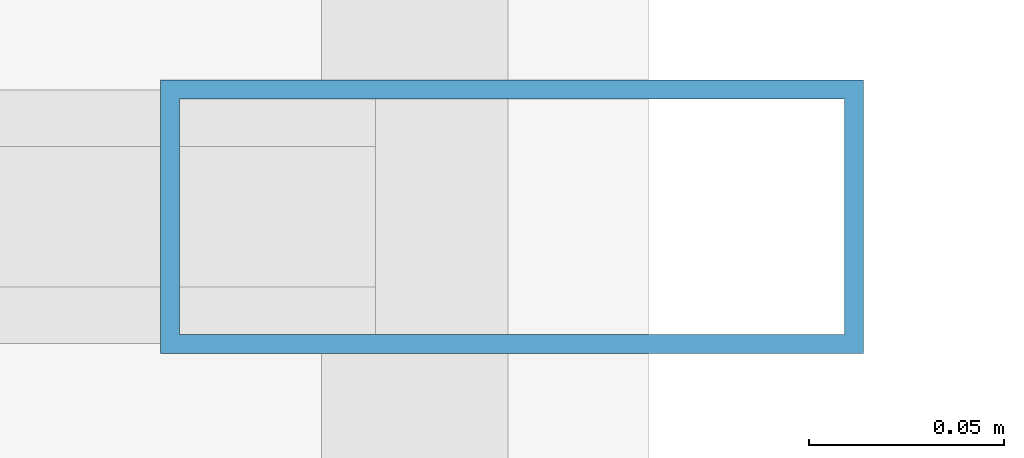
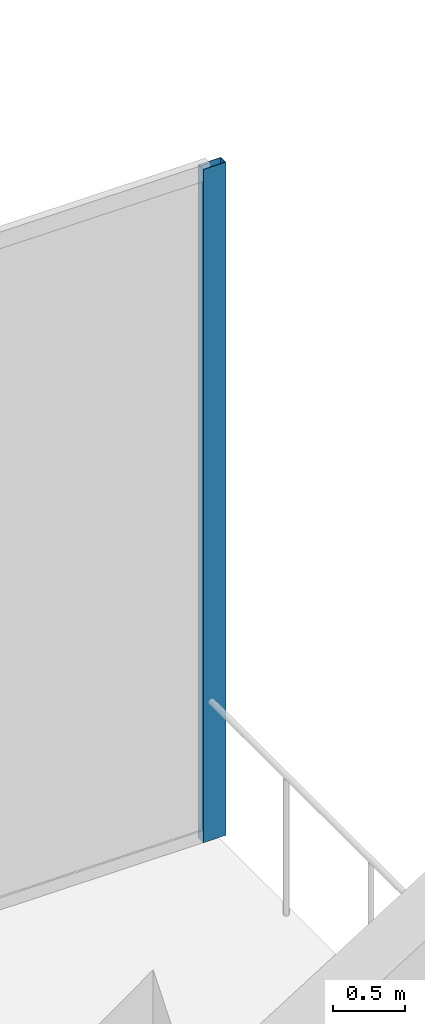
# One storey, part 15 of 30: 1 member, 1 element without a shape of its own.
"""IFC4 building model written with IfcOpenShell, lengths in metres."""

from ifc_helpers import new_model, si_unit, direction, frame, origin, origin_2d, place, context, subcontext, project, spatial, hollow_rectangle, extrude, source, transform, mapped, material, layer, layer_set, material_profile, profile_set, type_object, type_shapes, element, aggregate, save


model = new_model("IFC4")

# Units and contexts
model_context = context("Model", 3, precision=1e-05, world=origin(), true_north=direction((0.0, 1.0)))
body_context = subcontext(model_context, "Body", "Model", "MODEL_VIEW")
ifc_project = project(units=[si_unit("LENGTHUNIT", "METRE"), si_unit("AREAUNIT", "SQUARE_METRE"), si_unit("VOLUMEUNIT", "CUBIC_METRE"), si_unit("PLANEANGLEUNIT", "RADIAN"), si_unit("MASSUNIT", "GRAM", prefix="KILO")], contexts=[model_context])

# Site, building, storey
site_placement = place(None, origin())
site = spatial("IfcSite", under=ifc_project, at=site_placement, CompositionType="ELEMENT")
building_placement = place(site_placement, origin())
building = spatial("IfcBuilding", under=site, at=building_placement, Name="Haelvirn Gate Laboratories", CompositionType="ELEMENT")
storey_placement = place(building_placement, frame((0.0, 0.0, 291.60009765625)))
storey = spatial("IfcBuildingStorey", under=building, at=storey_placement, Name="L70", CompositionType="ELEMENT", Elevation=291.60009765625)

# Curtain wall, member
ifc_material_1 = material(Name="Anodised bronze unitised aluminium & triple low-E glass", Category="aluminium")
ifc_layer = layer(ifc_material_1, 0.176025390625, Name="CW-SYS-4")
ifc_layer_set = layer_set([ifc_layer], Name="Anodised bronze unitised aluminium & triple low-E glass")
curtain_wall_type = type_object("IfcCurtainWallType", Name="CW-SYS-4", PredefinedType="NOTDEFINED", material=ifc_layer_set)
curtain_wall_placement = place(storey_placement, origin())
curtain_wall = element("IfcCurtainWall", 1, at=curtain_wall_placement, inside=storey, type_object=curtain_wall_type, Name="L70 Unitised Curtain Wall CW-L70-P0-E02-1", PredefinedType="NOTDEFINED")
ifc_material_2 = material(Name="Extruded aluminium 6063-T6 (anodised bronze)", Category="aluminium")
ifc_material_profile = material_profile(ifc_material_2, hollow_rectangle(XDim=0.070068359375, YDim=0.179931640625, WallThickness=0.0048828125, at=origin_2d()), Name="CWM-180x70x5")
ifc_profile_set = profile_set([ifc_material_profile], Name="Extruded aluminium 6063-T6 (anodised bronze)")
member_type = type_object("IfcMemberType", Name="CWM-T180", PredefinedType="MULLION", material=ifc_profile_set)
shared_shape = source(origin(), body_context, "Body", "SweptSolid", [
    extrude(hollow_rectangle(XDim=0.070068359375, YDim=0.179931640625, WallThickness=0.0048828125, at=origin_2d()), origin(), (0.0, 0.0, 1.0), 5.699951171875),
])
type_shapes(member_type, [shared_shape])
member_placement = place(storey_placement, frame((25.364990234375, 45.89990234375, 0.0), z_axis=(0.0, 0.0, 1.0), x_axis=(0.0, 1.0, 0.0)))
member = element("IfcMember", 2, at=member_placement, type_object=member_type, Name="CW4 mullion 3", PredefinedType="MULLION", context=body_context, shape_type="MappedRepresentation", body=[
    mapped(shared_shape, transform((0.0, 0.0, 0.0), scale=1.0)),
])
aggregate(curtain_wall, [member])

save(model, "model.ifc")
